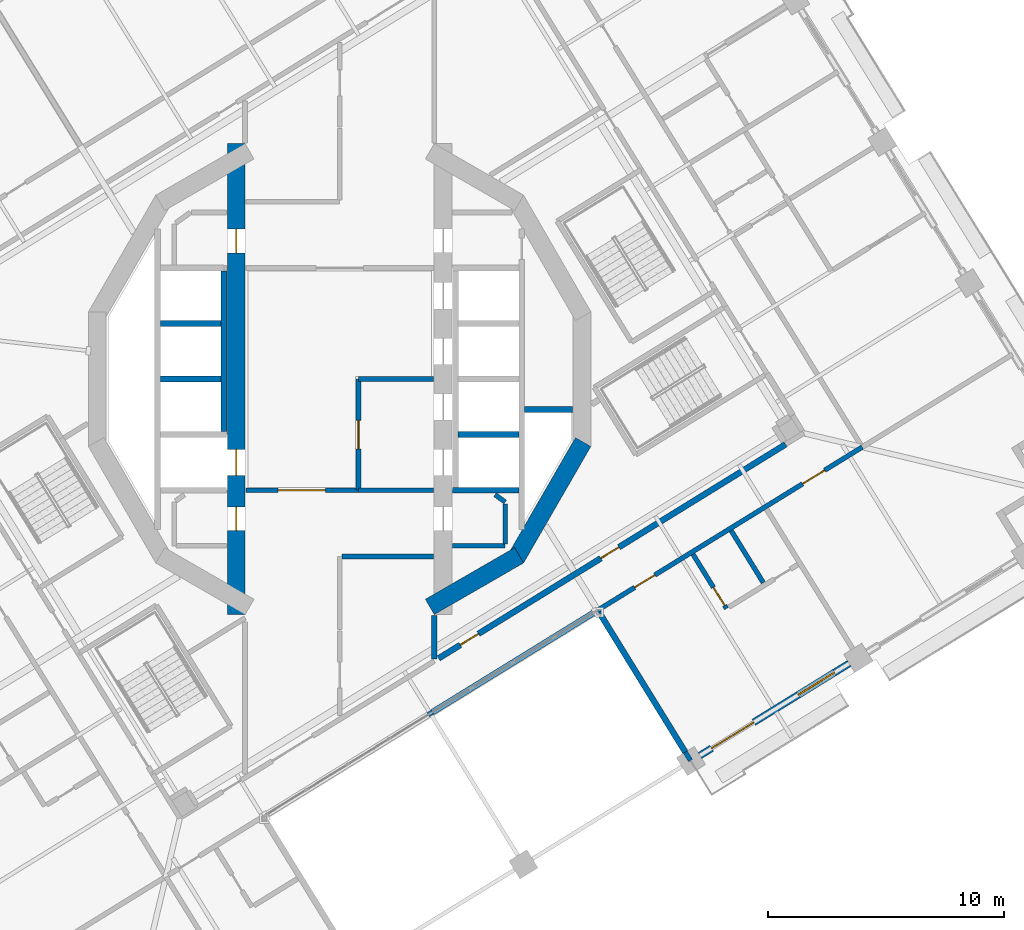
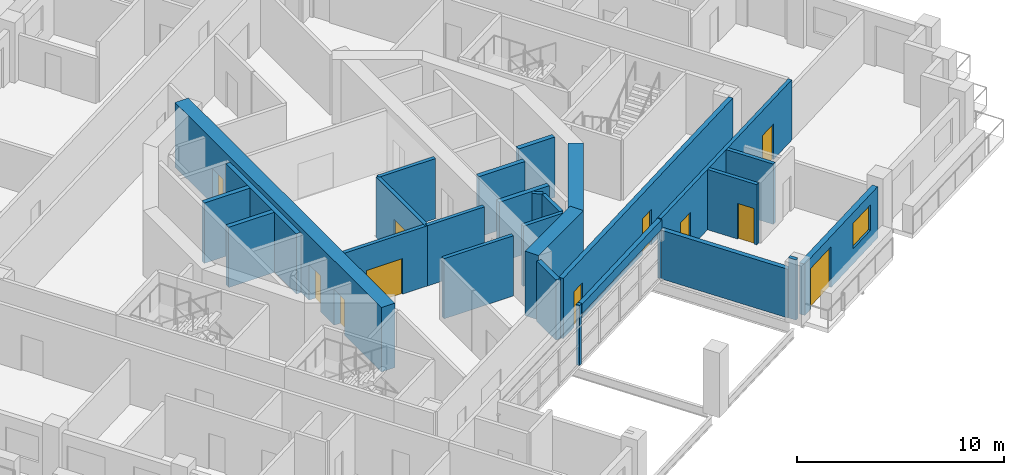
# One storey, part 10 of 22: 27 walls, 11 doors, 1 window, 12 openings.
"""IFC4 building model written with IfcOpenShell, lengths in metres."""

from ifc_helpers import new_model, si_unit, direction, frame, frame_2d, origin, place, context, subcontext, project, spatial, rectangle, extrude, material, layer, layer_set, type_object, element, fill, save


model = new_model("IFC4")

# Units and contexts
model_context = context("Model", 3, precision=1e-05, world=origin(), true_north=direction((0.0, 1.0)))
body_context = subcontext(model_context, "Body", "Model", "MODEL_VIEW")
ifc_project = project(units=[si_unit("LENGTHUNIT", "METRE"), si_unit("AREAUNIT", "SQUARE_METRE"), si_unit("VOLUMEUNIT", "CUBIC_METRE"), si_unit("PLANEANGLEUNIT", "RADIAN"), si_unit("MASSUNIT", "GRAM", prefix="KILO")], contexts=[model_context])

# Site, building, storey
site_placement = place(None, origin())
site = spatial("IfcSite", under=ifc_project, at=site_placement, CompositionType="ELEMENT")
building_placement = place(site_placement, origin())
building = spatial("IfcBuilding", under=site, at=building_placement, Name="Cantera Rosa Tower", CompositionType="ELEMENT")
storey_placement = place(building_placement, frame((0.0, 0.0, 174.199951171875)))
storey = spatial("IfcBuildingStorey", under=building, at=storey_placement, Name="L38", CompositionType="ELEMENT", Elevation=174.199951171875)

# Wall
ifc_material_1 = material(Name="Gypsum board partition")
ifc_layer_1 = layer(ifc_material_1, 0.199951171875)
ifc_layer_set_1 = layer_set([ifc_layer_1], Name="CORRIDOR WALL 200 H3550")
wall_type_1 = type_object("IfcWallType", Name="CORRIDOR WALL 200 H3550", PredefinedType="PARTITIONING", material=ifc_layer_set_1)
wall_1_placement = place(storey_placement, frame((3.74755859375, -14.1962890625, 0.0), z_axis=(0.0, 0.0, 1.0), x_axis=(0.850517497121, 0.525946753094, 0.0)))
element("IfcWall", 1, at=wall_1_placement, inside=storey, type_object=wall_type_1, Name="CORRIDOR WALL L38-036", PredefinedType="PARTITIONING", context=body_context, shape_type="SweptSolid", body=[
    extrude(rectangle(XDim=0.2060546875, YDim=0.199951171875, at=frame_2d((0.10302734375, 0.0))), origin(), (0.0, 0.0, 1.0), 3.550048828125),
])

# Wall, openings, doors
wall_2_placement = place(storey_placement, frame((10.810302734375, -9.83984375, 0.0), z_axis=(0.0, 0.0, 1.0), x_axis=(0.851117553223, 0.52497515236, 0.0)))
wall_2 = element("IfcWall", 2, at=wall_2_placement, inside=storey, type_object=wall_type_1, Name="CORRIDOR WALL L38-037", PredefinedType="PARTITIONING", context=body_context, shape_type="SweptSolid", body=[
    extrude(rectangle(XDim=13.2646484375, YDim=0.199951171875, at=frame_2d((6.63232421875, 0.0))), origin(), (0.0, 0.0, 1.0), 3.550048828125),
])
opening_1_placement = place(wall_2_placement, frame((1.9599609375, 0.0, 0.0)))
opening_1 = element("IfcOpeningElement", 3, at=opening_1_placement, cuts=wall_2, Name="Opening L38-049", PredefinedType="OPENING", context=body_context, shape_type="SweptSolid", body=[
    extrude(rectangle(XDim=1.0, YDim=2.10009765625, at=frame_2d((0.5, 1.050048828125))), frame((0.0, 0.10986328125, 0.0), z_axis=(0.0, -1.0, 0.0), x_axis=(1.0, 0.0, 0.0)), (0.0, 0.0, 1.0), 0.219970703125),
])
opening_2_placement = place(wall_2_placement, frame((10.304931640625, 0.0, 0.0)))
opening_2 = element("IfcOpeningElement", 4, at=opening_2_placement, cuts=wall_2, Name="Opening L38-055", PredefinedType="OPENING", context=body_context, shape_type="SweptSolid", body=[
    extrude(rectangle(XDim=1.10009765625, YDim=2.10009765625, at=frame_2d((0.550048828125, 1.050048828125))), frame((0.0, 0.10986328125, 0.0), z_axis=(0.0, -1.0, 0.0), x_axis=(1.0, 0.0, 0.0)), (0.0, 0.0, 1.0), 0.219970703125),
])
ifc_material_2 = material(Name="Timber door leaf", Category="wood")
door_type_1 = type_object("IfcDoorType", Name="ENTRANCE DOOR 1000x2100", OperationType="NOTDEFINED", PredefinedType="DOOR", material=ifc_material_2)
door_1_placement = place(opening_1_placement, origin())
door_1 = element("IfcDoor", 5, at=door_1_placement, inside=storey, type_object=door_type_1, Name="DOOR L38-049", OperationType="NOTDEFINED", OverallHeight=2.10009765625, OverallWidth=1.0, PredefinedType="DOOR", context=body_context, shape_type="SweptSolid", body=[
    extrude(rectangle(XDim=1.0, YDim=2.10009765625, at=frame_2d((0.5, 1.050048828125))), frame((0.0, 0.02490234375, 0.0), z_axis=(0.0, -1.0, 0.0), x_axis=(1.0, 0.0, 0.0)), (0.0, 0.0, 1.0), 0.050048828125),
])
fill(opening_1, door_1)
ifc_material_3 = material(Name="Timber door leaf", Category="wood")
door_type_2 = type_object("IfcDoorType", Name="ROOM DOOR 1100x2100", OperationType="NOTDEFINED", PredefinedType="DOOR", material=ifc_material_3)
door_2_placement = place(opening_2_placement, origin())
door_2 = element("IfcDoor", 6, at=door_2_placement, inside=storey, type_object=door_type_2, Name="DOOR L38-055", OperationType="NOTDEFINED", OverallHeight=2.10009765625, OverallWidth=1.10009765625, PredefinedType="DOOR", context=body_context, shape_type="SweptSolid", body=[
    extrude(rectangle(XDim=1.10009765625, YDim=2.10009765625, at=frame_2d((0.550048828125, 1.050048828125))), frame((0.0, 0.02490234375, 0.0), z_axis=(0.0, -1.0, 0.0), x_axis=(1.0, 0.0, 0.0)), (0.0, 0.0, 1.0), 0.050048828125),
])
fill(opening_2, door_2)

# Wall, opening, door
wall_3_placement = place(storey_placement, frame((0.800048828125, -4.699951171875, 0.0), z_axis=(0.0, 0.0, 1.0), x_axis=(-1.0, 0.0, 0.0)))
wall_3 = element("IfcWall", 7, at=wall_3_placement, inside=storey, type_object=wall_type_1, Name="CORRIDOR WALL L38-067", PredefinedType="PARTITIONING", context=body_context, shape_type="SweptSolid", body=[
    extrude(rectangle(XDim=4.77001953125, YDim=0.199951171875, at=frame_2d((2.385009765625, 0.0))), origin(), (0.0, 0.0, 1.0), 3.550048828125),
])
opening_3_placement = place(wall_3_placement, frame((1.39990234375, 0.0, 0.0)))
opening_3 = element("IfcOpeningElement", 8, at=opening_3_placement, cuts=wall_3, Name="Opening L38-014", PredefinedType="OPENING", context=body_context, shape_type="SweptSolid", body=[
    extrude(rectangle(XDim=2.0, YDim=2.10009765625, at=frame_2d((1.0, 1.050048828125))), frame((0.0, 0.10986328125, 0.0), z_axis=(0.0, -1.0, 0.0), x_axis=(1.0, 0.0, 0.0)), (0.0, 0.0, 1.0), 0.219970703125),
])
ifc_material_4 = material(Name="Steel S355J2 (EN 10025-2)", Category="steel")
door_type_3 = type_object("IfcDoorType", Name="LOBBY SCREEN DOOR 2000x2100", OperationType="NOTDEFINED", PredefinedType="DOOR", material=ifc_material_4)
door_3_placement = place(opening_3_placement, origin())
door_3 = element("IfcDoor", 9, at=door_3_placement, inside=storey, type_object=door_type_3, Name="DOOR L38-014", OperationType="NOTDEFINED", OverallHeight=2.10009765625, OverallWidth=2.0, PredefinedType="DOOR", context=body_context, shape_type="SweptSolid", body=[
    extrude(rectangle(XDim=2.0, YDim=2.10009765625, at=frame_2d((1.0, 1.050048828125))), frame((0.0, 0.02490234375, 0.0), z_axis=(0.0, -1.0, 0.0), x_axis=(1.0, 0.0, 0.0)), (0.0, 0.0, 1.0), 0.050048828125),
])
fill(opening_3, door_3)

# Wall
wall_4_placement = place(storey_placement, frame((3.969970703125, -7.5, 0.0), z_axis=(0.0, 0.0, 1.0), x_axis=(-1.0, 0.0, 0.0)))
element("IfcWall", 10, at=wall_4_placement, inside=storey, type_object=wall_type_1, Name="CORRIDOR WALL L38-074", PredefinedType="PARTITIONING", context=body_context, shape_type="SweptSolid", body=[
    extrude(rectangle(XDim=3.869873046875, YDim=0.199951171875, at=frame_2d((1.93505859375, 0.0))), origin(), (0.0, 0.0, 1.0), 3.550048828125),
])

# Wall, openings, window, door
ifc_material_5 = material(Name="Hollow clay masonry with cantera stone cladding", Category="masonry")
ifc_layer_2 = layer(ifc_material_5, 0.300048828125)
ifc_layer_set_2 = layer_set([ifc_layer_2], Name="EW-LOGGIA 300 H3020")
wall_type_2 = type_object("IfcWallType", Name="EW-LOGGIA 300 H3020", PredefinedType="SOLIDWALL", material=ifc_layer_set_2)
wall_5_placement = place(storey_placement, frame((15.23681640625, -15.92138671875, 0.0), z_axis=(0.0, 0.0, 1.0), x_axis=(0.85112578684, 0.524961803349, 0.0)))
wall_5 = element("IfcWall", 11, at=wall_5_placement, inside=storey, type_object=wall_type_2, Name="EN-L38-W25", PredefinedType="SOLIDWALL", context=body_context, shape_type="SweptSolid", body=[
    extrude(rectangle(XDim=7.420166015625, YDim=0.300048828125, at=frame_2d((3.7099609375, 0.0))), origin(), (0.0, 0.0, 1.0), 3.02001953125),
])
opening_4_placement = place(wall_5_placement, frame((0.580078125, 0.0, 0.0)))
opening_4 = element("IfcOpeningElement", 12, at=opening_4_placement, cuts=wall_5, Name="Opening L38-TD33", PredefinedType="OPENING", context=body_context, shape_type="SweptSolid", body=[
    extrude(rectangle(XDim=2.10009765625, YDim=2.39990234375, at=frame_2d((1.050048828125, 1.199951171875))), frame((0.0, 0.159912109375, 0.0), z_axis=(0.0, -1.0, 0.0), x_axis=(1.0, 0.0, 0.0)), (0.0, 0.0, 1.0), 0.320068359375),
])
opening_5_placement = place(wall_5_placement, frame((4.889892578125, 0.0, 0.89990234375)))
opening_5 = element("IfcOpeningElement", 13, at=opening_5_placement, cuts=wall_5, Name="Opening L38-W34", PredefinedType="OPENING", context=body_context, shape_type="SweptSolid", body=[
    extrude(rectangle(XDim=1.800048828125, YDim=1.5, at=frame_2d((0.89990234375, 0.75))), frame((0.0, 0.159912109375, 0.0), z_axis=(0.0, -1.0, 0.0), x_axis=(1.0, 0.0, 0.0)), (0.0, 0.0, 1.0), 0.320068359375),
])
ifc_material_6 = material(Name="Aluminium frame with clear glass", Category="aluminium")
window_type = type_object("IfcWindowType", Name="Hotel room window 1800x1500", PartitioningType="DOUBLE_PANEL_VERTICAL", PredefinedType="WINDOW", material=ifc_material_6)
window_placement = place(opening_5_placement, origin())
window = element("IfcWindow", 14, at=window_placement, inside=storey, type_object=window_type, Name="WINDOW L38-W34", OverallHeight=1.5, OverallWidth=1.800048828125, PartitioningType="SINGLE_PANEL", PredefinedType="WINDOW", context=body_context, shape_type="SweptSolid", body=[
    extrude(rectangle(XDim=1.800048828125, YDim=1.5, at=frame_2d((0.89990234375, 0.75))), frame((0.0, 0.030029296875, 0.0), z_axis=(0.0, -1.0, 0.0), x_axis=(1.0, 0.0, 0.0)), (0.0, 0.0, 1.0), 0.06005859375),
])
fill(opening_5, window)
ifc_material_7 = material(Name="Aluminium frame with clear glass", Category="aluminium")
door_type_4 = type_object("IfcDoorType", Name="TD-H 2100x2400", OperationType="NOTDEFINED", PredefinedType="DOOR", material=ifc_material_7)
door_4_placement = place(opening_4_placement, origin())
door_4 = element("IfcDoor", 15, at=door_4_placement, inside=storey, type_object=door_type_4, Name="LOGGIA DOOR L38-TD33", OperationType="SLIDING_TO_LEFT", OverallHeight=2.39990234375, OverallWidth=2.10009765625, PredefinedType="DOOR", context=body_context, shape_type="SweptSolid", body=[
    extrude(rectangle(XDim=2.10009765625, YDim=2.39990234375, at=frame_2d((1.050048828125, 1.199951171875))), frame((0.0, 0.02490234375, 0.0), z_axis=(0.0, -1.0, 0.0), x_axis=(1.0, 0.0, 0.0)), (0.0, 0.0, 1.0), 0.050048828125),
])
fill(opening_4, door_4)

# Walls
ifc_material_8 = material(Name="Concrete C40/50", Category="concrete")
ifc_layer_3 = layer(ifc_material_8, 0.25)
ifc_layer_set_3 = layer_set([ifc_layer_3], Name="EW-POCKET CHEEK 250 H2870")
wall_type_3 = type_object("IfcWallType", Name="EW-POCKET CHEEK 250 H2870", PredefinedType="SOLIDWALL", material=ifc_layer_set_3)
wall_6_placement = place(storey_placement, frame((14.61767578125, -15.774658203125, 0.0), z_axis=(0.0, 0.0, 1.0), x_axis=(-0.524984984735, 0.851111488468, 0.0)))
element("IfcWall", 16, at=wall_6_placement, inside=storey, type_object=wall_type_3, Name="POCKET CHEEK B L38", PredefinedType="SOLIDWALL", context=body_context, shape_type="SweptSolid", body=[
    extrude(rectangle(XDim=6.949951171875, YDim=0.25, at=frame_2d((3.47509765625, 0.0))), origin(), (0.0, 0.0, 1.0), 2.8701171875),
])
ifc_material_9 = material(Name="Hollow clay masonry with cantera stone cladding", Category="masonry")
ifc_layer_4 = layer(ifc_material_9, 0.25)
ifc_layer_set_4 = layer_set([ifc_layer_4], Name="EW-POCKET REAR 250")
wall_type_4 = type_object("IfcWallType", Name="EW-POCKET REAR 250", PredefinedType="SOLIDWALL", material=ifc_layer_set_4)
wall_7_placement = place(storey_placement, frame((3.9228515625, -14.088134765625, 2.942138671875), z_axis=(0.0, 0.0, 1.0), x_axis=(0.851105713659, 0.524994346805, 0.0)))
element("IfcWall", 17, at=wall_7_placement, inside=storey, type_object=wall_type_4, Name="POCKET SPANDREL L38-2", PredefinedType="SOLIDWALL", context=body_context, shape_type="SweptSolid", body=[
    extrude(rectangle(XDim=8.092041015625, YDim=0.25, at=frame_2d((4.0458984375, 0.0))), origin(), (0.0, 0.0, 1.0), 0.557861328125),
])
ifc_material_10 = material(Name="Gypsum board partition")
ifc_layer_5 = layer(ifc_material_10, 0.199951171875)
ifc_layer_set_5 = layer_set([ifc_layer_5], Name="PARTITION 200 H3550")
wall_type_5 = type_object("IfcWallType", Name="PARTITION 200 H3550", PredefinedType="PARTITIONING", material=ifc_layer_set_5)
wall_8_placement = place(storey_placement, frame((6.572509765625, -4.888427734375, 0.0), z_axis=(0.0, 0.0, 1.0), x_axis=(0.808176867567, -0.588939853236, 0.0)))
element("IfcWall", 18, at=wall_8_placement, inside=storey, type_object=wall_type_5, Name="PARTITION L38-084", PredefinedType="PARTITIONING", context=body_context, shape_type="SweptSolid", body=[
    extrude(rectangle(XDim=0.529052734375, YDim=0.199951171875, at=frame_2d((0.2646484375, 0.0))), origin(), (0.0, 0.0, 1.0), 3.550048828125),
])
wall_9_placement = place(storey_placement, frame((7.0, -7.050048828125, 0.0), z_axis=(0.0, 0.0, 1.0), x_axis=(-1.0, 0.0, 0.0)))
element("IfcWall", 19, at=wall_9_placement, inside=storey, type_object=wall_type_5, Name="PARTITION L38-087", PredefinedType="PARTITIONING", context=body_context, shape_type="SweptSolid", body=[
    extrude(rectangle(XDim=2.219970703125, YDim=0.199951171875, at=frame_2d((1.10986328125, 0.0))), origin(), (0.0, 0.0, 1.0), 3.550048828125),
])
wall_10_placement = place(storey_placement, frame((7.0, -5.280029296875, 0.0), z_axis=(0.0, 0.0, 1.0), x_axis=(0.0, -1.0, 0.0)))
element("IfcWall", 20, at=wall_10_placement, inside=storey, type_object=wall_type_5, Name="PARTITION L38-088", PredefinedType="PARTITIONING", context=body_context, shape_type="SweptSolid", body=[
    extrude(rectangle(XDim=1.68994140625, YDim=0.199951171875, at=frame_2d((0.844970703125, 0.0))), origin(), (0.0, 0.0, 1.0), 3.550048828125),
])
wall_11_placement = place(storey_placement, frame((14.838134765625, -16.132080078125, 0.0), z_axis=(0.0, 0.0, 1.0), x_axis=(-0.524972939322, 0.851118918236, 0.0)))
element("IfcWall", 21, at=wall_11_placement, inside=storey, type_object=wall_type_5, Name="PARTITION L38-111", PredefinedType="PARTITIONING", context=body_context, shape_type="SweptSolid", body=[
    extrude(rectangle(XDim=0.419921875, YDim=0.199951171875, at=frame_2d((0.2099609375, 0.0))), origin(), (0.0, 0.0, 1.0), 3.550048828125),
])

# Wall, opening, door
wall_12_placement = place(storey_placement, frame((16.361083984375, -9.705810546875, 0.0), z_axis=(0.0, 0.0, 1.0), x_axis=(-0.524909448059, 0.851158076586, 0.0)))
wall_12 = element("IfcWall", 22, at=wall_12_placement, inside=storey, type_object=wall_type_5, Name="PARTITION L38-116", PredefinedType="PARTITIONING", context=body_context, shape_type="SweptSolid", body=[
    extrude(rectangle(XDim=2.699951171875, YDim=0.199951171875, at=frame_2d((1.35009765625, 0.0))), origin(), (0.0, 0.0, 1.0), 3.550048828125),
])
opening_6_placement = place(wall_12_placement, frame((0.14990234375, 0.0, 0.0)))
opening_6 = element("IfcOpeningElement", 23, at=opening_6_placement, cuts=wall_12, Name="Opening L38-051", PredefinedType="OPENING", context=body_context, shape_type="SweptSolid", body=[
    extrude(rectangle(XDim=0.89990234375, YDim=2.10009765625, at=frame_2d((0.449951171875, 1.050048828125))), frame((0.0, 0.10986328125, 0.0), z_axis=(0.0, -1.0, 0.0), x_axis=(1.0, 0.0, 0.0)), (0.0, 0.0, 1.0), 0.219970703125),
])
ifc_material_11 = material(Name="Timber door leaf", Category="wood")
door_type_5 = type_object("IfcDoorType", Name="ROOM DOOR 900x2100", OperationType="NOTDEFINED", PredefinedType="DOOR", material=ifc_material_11)
door_5_placement = place(opening_6_placement, origin())
door_5 = element("IfcDoor", 24, at=door_5_placement, inside=storey, type_object=door_type_5, Name="DOOR L38-051", OperationType="NOTDEFINED", OverallHeight=2.10009765625, OverallWidth=0.89990234375, PredefinedType="DOOR", context=body_context, shape_type="SweptSolid", body=[
    extrude(rectangle(XDim=0.89990234375, YDim=2.10009765625, at=frame_2d((0.449951171875, 1.050048828125))), frame((0.0, 0.02490234375, 0.0), z_axis=(0.0, -1.0, 0.0), x_axis=(1.0, 0.0, 0.0)), (0.0, 0.0, 1.0), 0.050048828125),
])
fill(opening_6, door_5)

# Wall
wall_13_placement = place(storey_placement, frame((17.915283203125, -8.606201171875, 0.0), z_axis=(0.0, 0.0, 1.0), x_axis=(-0.525005247362, 0.851098989685, 0.0)))
element("IfcWall", 25, at=wall_13_placement, inside=storey, type_object=wall_type_5, Name="PARTITION L38-119", PredefinedType="PARTITIONING", context=body_context, shape_type="SweptSolid", body=[
    extrude(rectangle(XDim=2.580078125, YDim=0.199951171875, at=frame_2d((1.2900390625, 0.0))), origin(), (0.0, 0.0, 1.0), 3.550048828125),
])

# Wall, openings, doors
ifc_material_12 = material(Name="Concrete C60/75", Category="concrete")
ifc_layer_6 = layer(ifc_material_12, 0.75)
ifc_layer_set_6 = layer_set([ifc_layer_6], Name="RC CORE WALL 750 C60/75")
wall_type_6 = type_object("IfcWallType", Name="RC CORE WALL 750 C60/75", PredefinedType="SHEAR", material=ifc_layer_set_6)
wall_14_placement = place(storey_placement, frame((-4.375, 9.95947265625, 0.0), z_axis=(0.0, 0.0, 1.0), x_axis=(0.0, -1.0, 0.0)))
wall_14 = element("IfcWall", 26, at=wall_14_placement, inside=storey, type_object=wall_type_6, Name="CW-W6 L38", PredefinedType="SHEAR", context=body_context, shape_type="SweptSolid", body=[
    extrude(rectangle(XDim=19.9189453125, YDim=0.75, at=frame_2d((9.95947265625, 0.0))), origin(), (0.0, 0.0, 1.0), 3.800048828125),
])
opening_7_placement = place(wall_14_placement, frame((12.9345703125, 0.0, 0.0)))
opening_7 = element("IfcOpeningElement", 27, at=opening_7_placement, cuts=wall_14, Name="Opening LD-P3-L38", PredefinedType="OPENING", context=body_context, shape_type="SweptSolid", body=[
    extrude(rectangle(XDim=1.10009765625, YDim=2.10009765625, at=frame_2d((0.550048828125, 1.050048828125))), frame((0.0, 0.385009765625, 0.0), z_axis=(0.0, -1.0, 0.0), x_axis=(1.0, 0.0, 0.0)), (0.0, 0.0, 1.0), 0.77001953125),
])
opening_8_placement = place(wall_14_placement, frame((15.368408203125, 0.0, 0.0)))
opening_8 = element("IfcOpeningElement", 28, at=opening_8_placement, cuts=wall_14, Name="Opening SD-L38-18", PredefinedType="OPENING", context=body_context, shape_type="SweptSolid", body=[
    extrude(rectangle(XDim=1.0, YDim=2.10009765625, at=frame_2d((0.5, 1.050048828125))), frame((0.0, 0.385009765625, 0.0), z_axis=(0.0, -1.0, 0.0), x_axis=(1.0, 0.0, 0.0)), (0.0, 0.0, 1.0), 0.77001953125),
])
opening_9_placement = place(wall_14_placement, frame((3.618408203125, 0.0, 0.0)))
opening_9 = element("IfcOpeningElement", 29, at=opening_9_placement, cuts=wall_14, Name="Opening SD-L38-19", PredefinedType="OPENING", context=body_context, shape_type="SweptSolid", body=[
    extrude(rectangle(XDim=1.0, YDim=2.10009765625, at=frame_2d((0.5, 1.050048828125))), frame((0.0, 0.385009765625, 0.0), z_axis=(0.0, -1.0, 0.0), x_axis=(1.0, 0.0, 0.0)), (0.0, 0.0, 1.0), 0.77001953125),
])
ifc_material_13 = material(Name="Steel S355J2 (EN 10025-2)", Category="steel")
door_type_6 = type_object("IfcDoorType", Name="LANDING DOOR 1100x2100", OperationType="NOTDEFINED", PredefinedType="DOOR", material=ifc_material_13)
door_6_placement = place(opening_7_placement, origin())
door_6 = element("IfcDoor", 30, at=door_6_placement, inside=storey, type_object=door_type_6, Name="LANDING DOOR P3 L38", OperationType="SLIDING_TO_LEFT", OverallHeight=2.10009765625, OverallWidth=1.10009765625, PredefinedType="DOOR", context=body_context, shape_type="SweptSolid", body=[
    extrude(rectangle(XDim=1.10009765625, YDim=2.10009765625, at=frame_2d((0.550048828125, 1.050048828125))), frame((0.0, 0.02490234375, 0.0), z_axis=(0.0, -1.0, 0.0), x_axis=(1.0, 0.0, 0.0)), (0.0, 0.0, 1.0), 0.050048828125),
])
fill(opening_7, door_6)
ifc_material_14 = material(Name="Timber door leaf", Category="wood")
door_type_7 = type_object("IfcDoorType", Name="SERVICE DOOR 1000x2100", OperationType="NOTDEFINED", PredefinedType="DOOR", material=ifc_material_14)
door_7_placement = place(opening_8_placement, origin())
door_7 = element("IfcDoor", 31, at=door_7_placement, inside=storey, type_object=door_type_7, Name="DOOR L38-SD18", OperationType="NOTDEFINED", OverallHeight=2.10009765625, OverallWidth=1.0, PredefinedType="DOOR", context=body_context, shape_type="SweptSolid", body=[
    extrude(rectangle(XDim=1.0, YDim=2.10009765625, at=frame_2d((0.5, 1.050048828125))), frame((0.0, 0.02490234375, 0.0), z_axis=(0.0, -1.0, 0.0), x_axis=(1.0, 0.0, 0.0)), (0.0, 0.0, 1.0), 0.050048828125),
])
fill(opening_8, door_7)
door_8_placement = place(opening_9_placement, origin())
door_8 = element("IfcDoor", 32, at=door_8_placement, inside=storey, type_object=door_type_7, Name="DOOR L38-SD19", OperationType="NOTDEFINED", OverallHeight=2.10009765625, OverallWidth=1.0, PredefinedType="DOOR", context=body_context, shape_type="SweptSolid", body=[
    extrude(rectangle(XDim=1.0, YDim=2.10009765625, at=frame_2d((0.5, 1.050048828125))), frame((0.0, 0.02490234375, 0.0), z_axis=(0.0, -1.0, 0.0), x_axis=(1.0, 0.0, 0.0)), (0.0, 0.0, 1.0), 0.050048828125),
])
fill(opening_9, door_8)

# Walls
wall_15_placement = place(storey_placement, frame((10.300537109375, -2.659423828125, 0.0), z_axis=(0.0, 0.0, 1.0), x_axis=(-0.500021842983, -0.866012792365, 0.0)))
element("IfcWall", 33, at=wall_15_placement, inside=storey, type_object=wall_type_6, Name="CW-E4 L38", PredefinedType="SHEAR", context=body_context, shape_type="SweptSolid", body=[
    extrude(rectangle(XDim=5.694091796875, YDim=0.75, at=frame_2d((2.84716796875, 0.0))), origin(), (0.0, 0.0, 1.0), 3.800048828125),
])
wall_16_placement = place(storey_placement, frame((7.590576171875, -7.453369140625, 0.0), z_axis=(0.0, 0.0, 1.0), x_axis=(-0.866013176292, -0.50002117804, 0.0)))
element("IfcWall", 34, at=wall_16_placement, inside=storey, type_object=wall_type_6, Name="CW-E5 L38", PredefinedType="SHEAR", context=body_context, shape_type="SweptSolid", body=[
    extrude(rectangle(XDim=4.362548828125, YDim=0.75, at=frame_2d((2.18115234375, 0.0))), origin(), (0.0, 0.0, 1.0), 3.800048828125),
])
ifc_material_15 = material(Name="Masonry blockwork", Category="masonry")
ifc_layer_7 = layer(ifc_material_15, 0.25)
ifc_layer_set_7 = layer_set([ifc_layer_7], Name="SHAFT WALL 250 H3550")
wall_type_7 = type_object("IfcWallType", Name="SHAFT WALL 250 H3550", PredefinedType="SOLIDWALL", material=ifc_layer_set_7)
for number, where, z_axis, x_axis, name in (
    (35, (-7.574951171875, 0.0, 0.0), (0.0, 0.0, 1.0), (1.0, 0.0, 0.0), "SHAFT WALL L38-030"),
    (36, (-7.574951171875, 2.35009765625, 0.0), (0.0, 0.0, 1.0), (1.0, 0.0, 0.0), "SHAFT WALL L38-031"),
):
    element("IfcWall", number, at=place(storey_placement, frame(where, z_axis=z_axis, x_axis=x_axis)), inside=storey, type_object=wall_type_7, Name=name, PredefinedType="SOLIDWALL", context=body_context, shape_type="SweptSolid", body=[
        extrude(rectangle(XDim=2.550048828125, YDim=0.25, at=frame_2d((1.27490234375, 0.0))), origin(), (0.0, 0.0, 1.0), 3.550048828125),
    ])
wall_17_placement = place(storey_placement, frame((-4.89990234375, 4.580078125, 0.0), z_axis=(0.0, 0.0, 1.0), x_axis=(0.0, -1.0, 0.0)))
element("IfcWall", 37, at=wall_17_placement, inside=storey, type_object=wall_type_7, Name="SHAFT WALL L38-047", PredefinedType="SOLIDWALL", context=body_context, shape_type="SweptSolid", body=[
    extrude(rectangle(XDim=6.80517578125, YDim=0.25, at=frame_2d((3.402587890625, 0.0))), origin(), (0.0, 0.0, 1.0), 3.550048828125),
])
wall_18_placement = place(storey_placement, frame((4.0, -11.845703125, 0.0), z_axis=(0.0, 0.0, 1.0), x_axis=(0.0, 1.0, 0.0)))
element("IfcWall", 38, at=wall_18_placement, inside=storey, type_object=wall_type_7, Name="SHAFT WALL L38-076", PredefinedType="SOLIDWALL", context=body_context, shape_type="SweptSolid", body=[
    extrude(rectangle(XDim=1.8515625, YDim=0.25, at=frame_2d((0.92578125, 0.0))), origin(), (0.0, 0.0, 1.0), 3.550048828125),
])

# Wall, openings, doors
wall_19_placement = place(storey_placement, frame((4.187255859375, -11.81005859375, 0.0), z_axis=(0.0, 0.0, 1.0), x_axis=(0.851119501836, 0.524971993153, 0.0)))
wall_19 = element("IfcWall", 39, at=wall_19_placement, inside=storey, type_object=wall_type_7, Name="SHAFT WALL L38-077", PredefinedType="SOLIDWALL", context=body_context, shape_type="SweptSolid", body=[
    extrude(rectangle(XDim=17.236328125, YDim=0.25, at=frame_2d((8.6181640625, 0.0))), origin(), (0.0, 0.0, 1.0), 3.550048828125),
])
opening_10_placement = place(wall_19_placement, frame((1.07568359375, 0.0, 0.0)))
opening_10 = element("IfcOpeningElement", 40, at=opening_10_placement, cuts=wall_19, Name="Opening L38-009", PredefinedType="OPENING", context=body_context, shape_type="SweptSolid", body=[
    extrude(rectangle(XDim=0.89990234375, YDim=2.10009765625, at=frame_2d((0.449951171875, 1.050048828125))), frame((0.0, 0.135009765625, 0.0), z_axis=(0.0, -1.0, 0.0), x_axis=(1.0, 0.0, 0.0)), (0.0, 0.0, 1.0), 0.27001953125),
])
opening_11_placement = place(wall_19_placement, frame((8.05810546875, 0.0, 0.0)))
opening_11 = element("IfcOpeningElement", 41, at=opening_11_placement, cuts=wall_19, Name="Opening L38-056", PredefinedType="OPENING", context=body_context, shape_type="SweptSolid", body=[
    extrude(rectangle(XDim=0.89990234375, YDim=2.10009765625, at=frame_2d((0.449951171875, 1.050048828125))), frame((0.0, 0.135009765625, 0.0), z_axis=(0.0, -1.0, 0.0), x_axis=(1.0, 0.0, 0.0)), (0.0, 0.0, 1.0), 0.27001953125),
])
ifc_material_16 = material(Name="Timber door leaf", Category="wood")
door_type_8 = type_object("IfcDoorType", Name="SERVICE DOOR 900x2100", OperationType="NOTDEFINED", PredefinedType="DOOR", material=ifc_material_16)
door_9_placement = place(opening_10_placement, origin())
door_9 = element("IfcDoor", 42, at=door_9_placement, inside=storey, type_object=door_type_8, Name="RISER DOOR L38-009", OperationType="NOTDEFINED", OverallHeight=2.10009765625, OverallWidth=0.89990234375, PredefinedType="DOOR", context=body_context, shape_type="SweptSolid", body=[
    extrude(rectangle(XDim=0.89990234375, YDim=2.10009765625, at=frame_2d((0.449951171875, 1.050048828125))), frame((0.0, 0.02490234375, 0.0), z_axis=(0.0, -1.0, 0.0), x_axis=(1.0, 0.0, 0.0)), (0.0, 0.0, 1.0), 0.050048828125),
])
fill(opening_10, door_9)
door_10_placement = place(opening_11_placement, origin())
door_10 = element("IfcDoor", 43, at=door_10_placement, inside=storey, type_object=door_type_8, Name="RISER DOOR L38-056", OperationType="NOTDEFINED", OverallHeight=2.10009765625, OverallWidth=0.89990234375, PredefinedType="DOOR", context=body_context, shape_type="SweptSolid", body=[
    extrude(rectangle(XDim=0.89990234375, YDim=2.10009765625, at=frame_2d((0.449951171875, 1.050048828125))), frame((0.0, 0.02490234375, 0.0), z_axis=(0.0, -1.0, 0.0), x_axis=(1.0, 0.0, 0.0)), (0.0, 0.0, 1.0), 0.050048828125),
])
fill(opening_11, door_10)

# Walls
wall_20_placement = place(storey_placement, frame((7.574951171875, -4.699951171875, 0.0), z_axis=(0.0, 0.0, 1.0), x_axis=(-1.0, 0.0, 0.0)))
element("IfcWall", 44, at=wall_20_placement, inside=storey, type_object=wall_type_7, Name="SHAFT WALL L38-094", PredefinedType="SOLIDWALL", context=body_context, shape_type="SweptSolid", body=[
    extrude(rectangle(XDim=2.794921875, YDim=0.25, at=frame_2d((1.3974609375, 0.0))), origin(), (0.0, 0.0, 1.0), 3.550048828125),
])
wall_21_placement = place(storey_placement, frame((7.574951171875, -2.35009765625, 0.0), z_axis=(0.0, 0.0, 1.0), x_axis=(-1.0, 0.0, 0.0)))
element("IfcWall", 45, at=wall_21_placement, inside=storey, type_object=wall_type_7, Name="SHAFT WALL L38-095", PredefinedType="SOLIDWALL", context=body_context, shape_type="SweptSolid", body=[
    extrude(rectangle(XDim=2.56005859375, YDim=0.25, at=frame_2d((1.280029296875, 0.0))), origin(), (0.0, 0.0, 1.0), 3.550048828125),
])
wall_22_placement = place(storey_placement, frame((7.824951171875, -1.28271484375, 0.0), z_axis=(0.0, 0.0, 1.0), x_axis=(1.0, 0.0, 0.0)))
element("IfcWall", 46, at=wall_22_placement, inside=storey, type_object=wall_type_7, Name="SHAFT WALL L38-096", PredefinedType="SOLIDWALL", context=body_context, shape_type="SweptSolid", body=[
    extrude(rectangle(XDim=2.020263671875, YDim=0.25, at=frame_2d((1.01025390625, 0.0))), origin(), (0.0, 0.0, 1.0), 3.550048828125),
])

# Wall, opening, door
ifc_material_17 = material(Name="Concrete C50/60", Category="concrete")
ifc_layer_8 = layer(ifc_material_17, 0.199951171875)
ifc_layer_set_8 = layer_set([ifc_layer_8], Name="STAIR WALL 200 H3550")
wall_type_8 = type_object("IfcWallType", Name="STAIR WALL 200 H3550", PredefinedType="SOLIDWALL", material=ifc_layer_set_8)
wall_23_placement = place(storey_placement, frame((0.800048828125, -4.699951171875, 0.0), z_axis=(0.0, 0.0, 1.0), x_axis=(0.0, 1.0, 0.0)))
wall_23 = element("IfcWall", 47, at=wall_23_placement, inside=storey, type_object=wall_type_8, Name="STAIR WALL L38-068", PredefinedType="SOLIDWALL", context=body_context, shape_type="SweptSolid", body=[
    extrude(rectangle(XDim=4.699951171875, YDim=0.199951171875, at=frame_2d((2.35009765625, 0.0))), origin(), (0.0, 0.0, 1.0), 3.550048828125),
])
opening_12_placement = place(wall_23_placement, frame((1.75, 0.0, 0.0)))
opening_12 = element("IfcOpeningElement", 48, at=opening_12_placement, cuts=wall_23, Name="Opening L38-015", PredefinedType="OPENING", context=body_context, shape_type="SweptSolid", body=[
    extrude(rectangle(XDim=1.199951171875, YDim=2.10009765625, at=frame_2d((0.60009765625, 1.050048828125))), frame((0.0, 0.10986328125, 0.0), z_axis=(0.0, -1.0, 0.0), x_axis=(1.0, 0.0, 0.0)), (0.0, 0.0, 1.0), 0.219970703125),
])
ifc_material_18 = material(Name="Steel S355J2 (EN 10025-2)", Category="steel")
door_type_9 = type_object("IfcDoorType", Name="FIRE DOOR 1200x2100", OperationType="NOTDEFINED", PredefinedType="DOOR", material=ifc_material_18)
door_11_placement = place(opening_12_placement, origin())
door_11 = element("IfcDoor", 49, at=door_11_placement, inside=storey, type_object=door_type_9, Name="DOOR L38-015", OperationType="NOTDEFINED", OverallHeight=2.10009765625, OverallWidth=1.199951171875, PredefinedType="DOOR", context=body_context, shape_type="SweptSolid", body=[
    extrude(rectangle(XDim=1.199951171875, YDim=2.10009765625, at=frame_2d((0.60009765625, 1.050048828125))), frame((0.0, 0.02490234375, 0.0), z_axis=(0.0, -1.0, 0.0), x_axis=(1.0, 0.0, 0.0)), (0.0, 0.0, 1.0), 0.050048828125),
])
fill(opening_12, door_11)

# Walls
for number, where, z_axis, x_axis, name in (
    (50, (0.800048828125, 0.0, 0.0), (0.0, 0.0, 1.0), (1.0, 0.0, 0.0), "STAIR WALL L38-069"),
    (51, (3.969970703125, -4.699951171875, 0.0), (0.0, 0.0, 1.0), (-1.0, 0.0, 0.0), "STAIR WALL L38-075"),
):
    element("IfcWall", number, at=place(storey_placement, frame(where, z_axis=z_axis, x_axis=x_axis)), inside=storey, type_object=wall_type_8, Name=name, PredefinedType="SOLIDWALL", context=body_context, shape_type="SweptSolid", body=[
        extrude(rectangle(XDim=3.169921875, YDim=0.199951171875, at=frame_2d((1.5849609375, 0.0))), origin(), (0.0, 0.0, 1.0), 3.550048828125),
    ])

save(model, "model.ifc")
